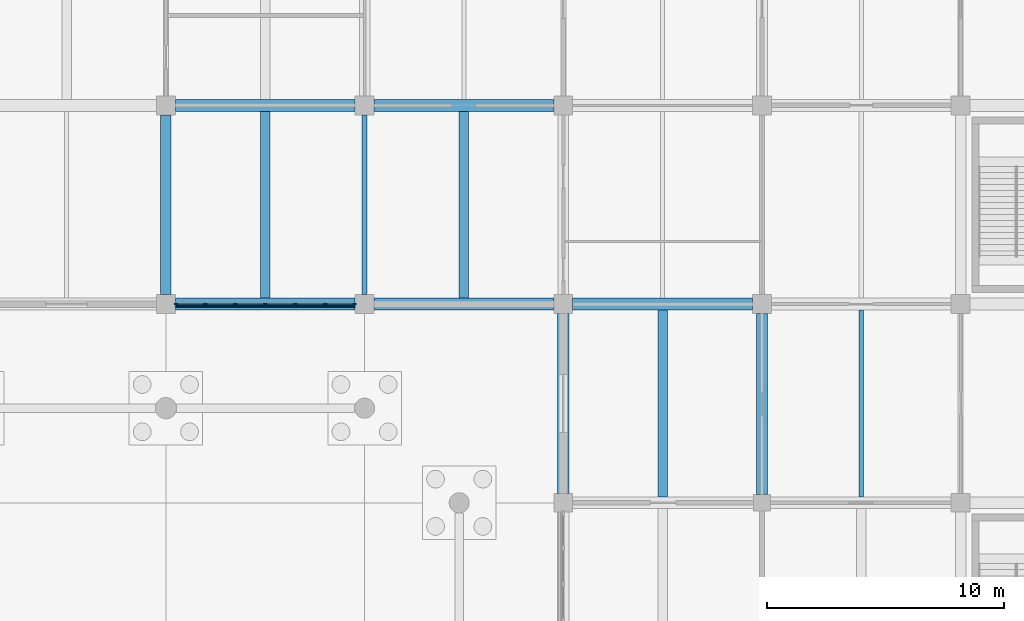
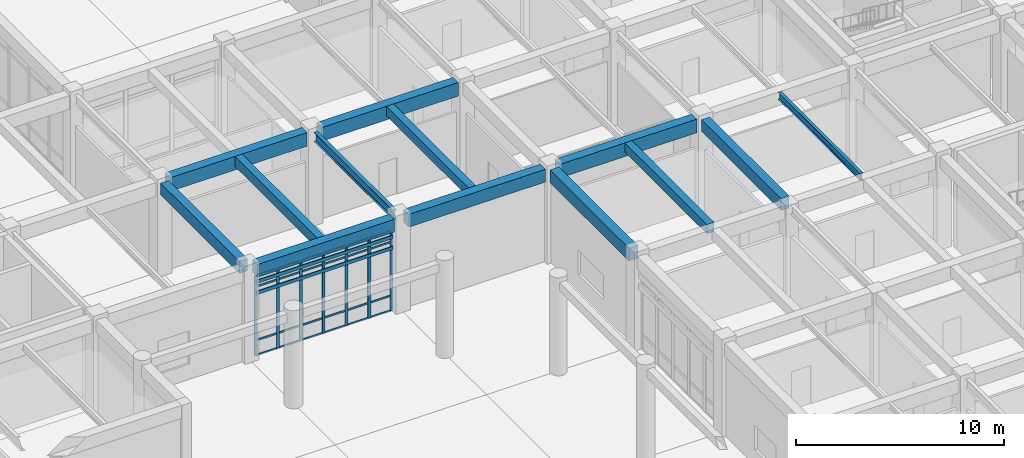
# One storey, part 36 of 91: 33 members, 13 beams, 1 element without a shape of its own.
"""IFC4 building model written with IfcOpenShell, lengths in metres."""

import ifcopenshell
import ifcopenshell.guid

model = None  # the IFC model being written
_history = None  # IfcOwnerHistory: only IFC2X3 demands one
_inside = {}  # id of a spatial element -> (the spatial element, [elements in it])
_under = {}  # id of a project, library or spatial element -> (it, [spatial elements below it])
_declared = {}  # id of a project -> (the project, [libraries it declares])
_typed = {}  # id of a type object -> (the type object, [elements of that type])
_made_of = {}  # id of a material, layer set ... -> (it, [elements and type objects made of it])


def new_model(schema):
    """Start an empty IFC model of exactly this schema.

    Asked for "IFC4X3", IfcOpenShell would pick the latest addendum, in which some entities
    have other attributes; the version numbers below select the first issue.
    IFC2X3 requires an IfcOwnerHistory on every rooted entity: one is made here for all.
    """
    global model, _history
    if schema == "IFC4X3":
        model = ifcopenshell.file(schema_version=(4, 3, 0, 0))
    else:
        model = ifcopenshell.file(schema=schema)
    _inside.clear()
    _under.clear()
    _declared.clear()
    _typed.clear()
    _made_of.clear()
    _history = None
    if model.schema == "IFC2X3":
        org = make("IfcOrganization", Name="unknown")
        user = make(
            "IfcPersonAndOrganization",
            ThePerson=make("IfcPerson", FamilyName="unknown"),
            TheOrganization=org,
        )
        app = make(
            "IfcApplication",
            ApplicationDeveloper=org,
            Version="unknown",
            ApplicationFullName="unknown",
            ApplicationIdentifier="unknown",
        )
        _history = make(
            "IfcOwnerHistory",
            OwningUser=user,
            OwningApplication=app,
            ChangeAction="ADDED",
            CreationDate=0,
        )
    return model


def make(cls, **values):
    """One entity of the class cls with the attributes given. An attribute that is None is left unset."""
    return model.create_entity(
        cls, **{name: value for name, value in values.items() if value is not None}
    )


def rooted(cls, **values):
    """An entity with a GlobalId (a new one), such as an element, a storey or a relation."""
    return make(cls, GlobalId=ifcopenshell.guid.new(), OwnerHistory=_history, **values)


def si_unit(unit_type, name, prefix=None):
    """IfcSIUnit, for example si_unit("LENGTHUNIT", "METRE", prefix="MILLI")."""
    return make("IfcSIUnit", UnitType=unit_type, Prefix=prefix, Name=name)


def assignment(units):
    """IfcUnitAssignment: the units of a project."""
    return None if units is None else make("IfcUnitAssignment", Units=units)


def point(xyz):
    """IfcCartesianPoint."""
    return None if xyz is None else make("IfcCartesianPoint", Coordinates=xyz)


def direction(xyz):
    """IfcDirection."""
    return None if xyz is None else make("IfcDirection", DirectionRatios=xyz)


def frame(location, z_axis=None, x_axis=None):
    """IfcAxis2Placement3D, a coordinate frame: its origin and axes. An axis left out is left unset."""
    return make(
        "IfcAxis2Placement3D",
        Location=point(location),
        Axis=direction(z_axis),
        RefDirection=direction(x_axis),
    )


def frame_2d(location, x_axis=None):
    """IfcAxis2Placement2D, a coordinate frame in the plane: its origin and x axis."""
    return make(
        "IfcAxis2Placement2D", Location=point(location), RefDirection=direction(x_axis)
    )


def origin():
    """The frame at (0, 0, 0) with its axes left unset."""
    return frame((0.0, 0.0, 0.0))


def origin_2d():
    """The frame at (0, 0) in the plane with its x axis left unset."""
    return frame_2d((0.0, 0.0))


def place(relative_to, where):
    """IfcLocalPlacement: puts the frame where relative to a parent placement (None: the world)."""
    return make(
        "IfcLocalPlacement", PlacementRelTo=relative_to, RelativePlacement=where
    )


def context(
    kind, dimensions, precision=None, world=None, true_north=None, identifier=None
):
    """IfcGeometricRepresentationContext, for example the 3D "Model" context."""
    return make(
        "IfcGeometricRepresentationContext",
        ContextIdentifier=identifier,
        ContextType=kind,
        CoordinateSpaceDimension=dimensions,
        Precision=precision,
        WorldCoordinateSystem=world,
        TrueNorth=true_north,
    )


def subcontext(parent, identifier, kind, view, scale=None):
    """IfcGeometricRepresentationSubContext, for example "Body" below "Model"."""
    return make(
        "IfcGeometricRepresentationSubContext",
        ContextIdentifier=identifier,
        ContextType=kind,
        ParentContext=parent,
        TargetScale=scale,
        TargetView=view,
    )


def project(units=None, contexts=None):
    """IfcProject with its units and contexts."""
    return rooted(
        "IfcProject",
        Name="project",
        RepresentationContexts=contexts,
        UnitsInContext=assignment(units),
    )


def spatial(cls, under=None, at=None, **own):
    """A site, building, storey or space (cls), placed at a placement, below another one or the project."""
    s = rooted(cls, ObjectPlacement=at, **own)
    if under is not None:
        _under.setdefault(under.id(), (under, []))[1].append(s)
    return s


def profile(cls, at=None, kind="AREA", **sizes):
    """A parametric profile (cls). Its sizes go by their IFC names, for example OverallWidth=200.0."""
    return make(cls, ProfileType=kind, Position=at, **sizes)


def rectangle(**sizes):
    """IfcRectangleProfileDef."""
    return profile("IfcRectangleProfileDef", **sizes)


def i_section(**sizes):
    """IfcIShapeProfileDef."""
    return profile("IfcIShapeProfileDef", **sizes)


def extrude(swept, where, along, depth):
    """IfcExtrudedAreaSolid: the profile swept, set in the frame where, extruded along a direction by depth."""
    return make(
        "IfcExtrudedAreaSolid",
        SweptArea=swept,
        Position=where,
        ExtrudedDirection=direction(along),
        Depth=depth,
    )


def shape(context_of_items, identifier, shape_type, items):
    """IfcShapeRepresentation: the items that make up one representation, for example the "Body"."""
    return make(
        "IfcShapeRepresentation",
        ContextOfItems=context_of_items,
        RepresentationIdentifier=identifier,
        RepresentationType=shape_type,
        Items=items,
    )


def material(Name=None, Category=None):
    """IfcMaterial."""
    return make("IfcMaterial", Name=Name, Category=Category)


def layer(
    of_material, thickness, ventilated=None, Name=None, Category=None, Priority=None
):
    """IfcMaterialLayer: one layer of a wall or slab, of a material (None: an air gap)."""
    return make(
        "IfcMaterialLayer",
        Material=of_material,
        LayerThickness=thickness,
        IsVentilated=ventilated,
        Name=Name,
        Category=Category,
        Priority=Priority,
    )


def layer_set(layers, Name=None):
    """IfcMaterialLayerSet."""
    return make("IfcMaterialLayerSet", MaterialLayers=layers, LayerSetName=Name)


def material_profile(
    of_material, cross_section, Name=None, Category=None, Priority=None
):
    """IfcMaterialProfile: a cross section and its material."""
    return make(
        "IfcMaterialProfile",
        Name=Name,
        Material=of_material,
        Profile=cross_section,
        Priority=Priority,
        Category=Category,
    )


def profile_set(profiles, Name=None, composite=None):
    """IfcMaterialProfileSet."""
    return make(
        "IfcMaterialProfileSet",
        Name=Name,
        MaterialProfiles=profiles,
        CompositeProfile=composite,
    )


def made_of(thing, what):
    """Note that an element or type object is made of a material, layer set ...; save() writes the relation."""
    if what is not None:
        _made_of.setdefault(what.id(), (what, []))[1].append(thing)
    return thing


def type_object(cls, material=None, **own):
    """A type object (cls), such as IfcWallType, which elements share."""
    return made_of(rooted(cls, **own), material)


def element(
    cls,
    number,
    at=None,
    inside=None,
    cuts=None,
    type_object=None,
    material=None,
    context=None,
    identifier="Body",
    shape_type=None,
    held_by="IfcProductDefinitionShape",
    body=None,
    shapes=None,
    **own,
):
    """One element of the class cls, such as IfcWall. Its Tag is "e" and its number.

    at: its placement. inside: the storey or other place that contains it. cuts: it is an
    opening in that element (IfcRelVoidsElement). A single representation is given by context,
    identifier, shape_type and body (its items); several are given by shapes. held_by: the class
    of the entity that holds the representations. save() writes the other relations.
    """
    e = rooted(cls, Tag="e%d" % number, ObjectPlacement=at, **own)
    if body is not None:
        shapes = [shape(context, identifier, shape_type, body)]
    if shapes is not None:
        e.Representation = make(held_by, Representations=shapes)
    if inside is not None:
        _inside.setdefault(inside.id(), (inside, []))[1].append(e)
    if cuts is not None:
        rooted(
            "IfcRelVoidsElement", RelatingBuildingElement=cuts, RelatedOpeningElement=e
        )
    if type_object is not None:
        _typed.setdefault(type_object.id(), (type_object, []))[1].append(e)
    return made_of(e, material)


def aggregate(whole, parts):
    """IfcRelAggregates: a whole, such as a stair, and the parts it consists of."""
    return rooted("IfcRelAggregates", RelatingObject=whole, RelatedObjects=parts)


def save(model, path):
    """Write the relations noted so far, then the file.

    IfcRelAggregates (storeys below a building ...), IfcRelContainedInSpatialStructure (elements
    in a storey), IfcRelDefinesByType, IfcRelAssociatesMaterial and IfcRelDeclares: one each for
    every whole, place, type object, material and project.
    """
    for whole, parts in _under.values():
        aggregate(whole, parts)
    for where, things in _inside.values():
        rooted(
            "IfcRelContainedInSpatialStructure",
            RelatedElements=things,
            RelatingStructure=where,
        )
    for kind, things in _typed.values():
        rooted("IfcRelDefinesByType", RelatedObjects=things, RelatingType=kind)
    for what, things in _made_of.values():
        rooted("IfcRelAssociatesMaterial", RelatedObjects=things, RelatingMaterial=what)
    for by, libraries in _declared.values():
        rooted("IfcRelDeclares", RelatingContext=by, RelatedDefinitions=libraries)
    model.write(path)


model = new_model("IFC4")

# Units and contexts
model_context = context("Model", 3, precision=1e-05, world=origin(), true_north=direction((0.0, 1.0)))
body_context = subcontext(model_context, "Body", "Model", "MODEL_VIEW")
ifc_project = project(units=[si_unit("LENGTHUNIT", "METRE"), si_unit("AREAUNIT", "SQUARE_METRE"), si_unit("VOLUMEUNIT", "CUBIC_METRE"), si_unit("PLANEANGLEUNIT", "RADIAN"), si_unit("MASSUNIT", "GRAM", prefix="KILO")], contexts=[model_context])

# Site, building, storey
site_placement = place(None, origin())
site = spatial("IfcSite", under=ifc_project, at=site_placement, CompositionType="ELEMENT")
building_placement = place(site_placement, origin())
building = spatial("IfcBuilding", under=site, at=building_placement, Name="Porcellanite Civic Hall", CompositionType="ELEMENT")
storey_placement = place(building_placement, origin())
storey = spatial("IfcBuildingStorey", under=building, at=storey_placement, Name="L00", CompositionType="ELEMENT", Elevation=0.0)

# Beams
ifc_material_1 = material(Name="Concrete N50 (50 MPa)", Category="concrete")
ifc_material_profile_1 = material_profile(ifc_material_1, rectangle(XDim=0.39990234375, YDim=0.550048828125, at=origin_2d()), Name="RC-400x550")
ifc_profile_set_1 = profile_set([ifc_material_profile_1], Name="Concrete N50 (50 MPa)")
beam_type_1 = type_object("IfcBeamType", Name="BM-RC550", PredefinedType="JOIST", material=ifc_profile_set_1)
beam_1_placement = place(storey_placement, frame((138.60009765625, 50.6494140625, 5.22509765625), z_axis=(0.0, 1.0, 0.0), x_axis=(-1.0, 0.0, 0.0)))
element("IfcBeam", 1, at=beam_1_placement, inside=storey, type_object=beam_type_1, Name="Secondary joist L00 17-7", PredefinedType="JOIST", context=body_context, shape_type="SweptSolid", body=[
    extrude(rectangle(XDim=0.39990234375, YDim=0.550048828125, at=origin_2d()), origin(), (0.0, 0.0, 1.0), 7.901123046875),
])
beam_2_placement = place(storey_placement, frame((147.0, 42.24951171875, 5.22509765625), z_axis=(0.0, 1.0, 0.0), x_axis=(-1.0, 0.0, 0.0)))
element("IfcBeam", 2, at=beam_2_placement, inside=storey, type_object=beam_type_1, Name="Secondary joist L00 18-6", PredefinedType="JOIST", context=body_context, shape_type="SweptSolid", body=[
    extrude(rectangle(XDim=0.39990234375, YDim=0.550048828125, at=origin_2d()), origin(), (0.0, 0.0, 1.0), 7.90087890625),
])
ifc_material_2 = material(Name="Concrete N50 (50 MPa)", Category="concrete")
ifc_material_profile_2 = material_profile(ifc_material_2, rectangle(XDim=0.39990234375, YDim=0.60009765625, at=origin_2d()), Name="RC-400x600")
ifc_profile_set_2 = profile_set([ifc_material_profile_2], Name="Concrete N50 (50 MPa)")
beam_type_2 = type_object("IfcBeamType", Name="BM-RC600", PredefinedType="JOIST", material=ifc_profile_set_2)
beam_3_placement = place(storey_placement, frame((130.199951171875, 50.6494140625, 5.199951171875), z_axis=(0.0, 1.0, 0.0), x_axis=(-1.0, 0.0, 0.0)))
element("IfcBeam", 3, at=beam_3_placement, inside=storey, type_object=beam_type_2, Name="Secondary joist L00 16-7", PredefinedType="JOIST", context=body_context, shape_type="SweptSolid", body=[
    extrude(rectangle(XDim=0.39990234375, YDim=0.60009765625, at=origin_2d()), origin(), (0.0, 0.0, 1.0), 7.901123046875),
])
ifc_material_3 = material(Name="Concrete N50 (50 MPa)", Category="concrete")
ifc_material_profile_3 = material_profile(ifc_material_3, rectangle(XDim=0.449951171875, YDim=0.699951171875, at=origin_2d()), Name="RC-450x700")
ifc_profile_set_3 = profile_set([ifc_material_profile_3], Name="Concrete N50 (50 MPa)")
beam_type_3 = type_object("IfcBeamType", Name="BM-RC700", PredefinedType="BEAM", material=ifc_profile_set_3)
beam_4_placement = place(storey_placement, frame((126.0, 50.799560546875, 5.14990234375), z_axis=(0.0, 1.0, 0.0), x_axis=(-1.0, 0.0, 0.0)))
element("IfcBeam", 4, at=beam_4_placement, inside=storey, type_object=beam_type_3, Name="Beam Y L00 16-7", PredefinedType="BEAM", context=body_context, shape_type="SweptSolid", body=[
    extrude(rectangle(XDim=0.449951171875, YDim=0.699951171875, at=origin_2d()), origin(), (0.0, 0.0, 1.0), 7.600830078125),
])
beam_5_placement = place(storey_placement, frame((151.199951171875, 42.349609375, 5.14990234375), z_axis=(0.0, 1.0, 0.0), x_axis=(-1.0, 0.0, 0.0)))
element("IfcBeam", 5, at=beam_5_placement, inside=storey, type_object=beam_type_3, Name="Beam Y L00 19-6", PredefinedType="BEAM", context=body_context, shape_type="SweptSolid", body=[
    extrude(rectangle(XDim=0.449951171875, YDim=0.699951171875, at=origin_2d()), origin(), (0.0, 0.0, 1.0), 7.65087890625),
])
ifc_material_4 = material(Name="Concrete N50 (50 MPa)", Category="concrete")
ifc_material_profile_4 = material_profile(ifc_material_4, rectangle(XDim=0.5, YDim=0.75, at=origin_2d()), Name="RC-500x750")
ifc_profile_set_4 = profile_set([ifc_material_profile_4], Name="Concrete N50 (50 MPa)")
beam_type_4 = type_object("IfcBeamType", Name="BM-RC750", PredefinedType="SPANDREL", material=ifc_profile_set_4)
beam_6_placement = place(storey_placement, frame((126.3994140625, 50.39990234375, 5.125), z_axis=(1.0, 0.0, 0.0), x_axis=(0.0, 1.0, 0.0)))
element("IfcBeam", 6, at=beam_6_placement, inside=storey, type_object=beam_type_4, Name="Beam X L00 16-7", PredefinedType="SPANDREL", context=body_context, shape_type="SweptSolid", body=[
    extrude(rectangle(XDim=0.5, YDim=0.75, at=origin_2d()), origin(), (0.0, 0.0, 1.0), 7.60107421875),
])
beam_7_placement = place(storey_placement, frame((134.799560546875, 50.39990234375, 5.125), z_axis=(1.0, 0.0, 0.0), x_axis=(0.0, 1.0, 0.0)))
element("IfcBeam", 7, at=beam_7_placement, inside=storey, type_object=beam_type_4, Name="Beam X L00 17-7", PredefinedType="SPANDREL", context=body_context, shape_type="SweptSolid", body=[
    extrude(rectangle(XDim=0.5, YDim=0.75, at=origin_2d()), origin(), (0.0, 0.0, 1.0), 7.600830078125),
])
beam_8_placement = place(storey_placement, frame((142.800048828125, 42.3994140625, 5.125), z_axis=(0.0, 1.0, 0.0), x_axis=(-1.0, 0.0, 0.0)))
element("IfcBeam", 8, at=beam_8_placement, inside=storey, type_object=beam_type_4, Name="Beam Y L00 18-6", PredefinedType="SPANDREL", context=body_context, shape_type="SweptSolid", body=[
    extrude(rectangle(XDim=0.5, YDim=0.75, at=origin_2d()), origin(), (0.0, 0.0, 1.0), 7.60107421875),
])
ifc_material_5 = material(Name="Concrete N50 (50 MPa)", Category="concrete")
ifc_material_profile_5 = material_profile(ifc_material_5, rectangle(XDim=0.5, YDim=0.800048828125, at=origin_2d()), Name="RC-500x800")
ifc_profile_set_5 = profile_set([ifc_material_profile_5], Name="Concrete N50 (50 MPa)")
beam_type_5 = type_object("IfcBeamType", Name="BM-RC800", PredefinedType="BEAM", material=ifc_profile_set_5)
beam_9_placement = place(storey_placement, frame((126.3994140625, 58.800048828125, 5.10009765625), z_axis=(1.0, 0.0, 0.0), x_axis=(0.0, 1.0, 0.0)))
element("IfcBeam", 9, at=beam_9_placement, inside=storey, type_object=beam_type_5, Name="Beam X L00 16-8", PredefinedType="BEAM", context=body_context, shape_type="SweptSolid", body=[
    extrude(rectangle(XDim=0.5, YDim=0.800048828125, at=origin_2d()), origin(), (0.0, 0.0, 1.0), 7.60107421875),
])
beam_10_placement = place(storey_placement, frame((134.799560546875, 58.800048828125, 5.10009765625), z_axis=(1.0, 0.0, 0.0), x_axis=(0.0, 1.0, 0.0)))
element("IfcBeam", 10, at=beam_10_placement, inside=storey, type_object=beam_type_5, Name="Beam X L00 17-8", PredefinedType="BEAM", context=body_context, shape_type="SweptSolid", body=[
    extrude(rectangle(XDim=0.5, YDim=0.800048828125, at=origin_2d()), origin(), (0.0, 0.0, 1.0), 7.600830078125),
])
beam_11_placement = place(storey_placement, frame((143.199462890625, 50.39990234375, 5.10009765625), z_axis=(1.0, 0.0, 0.0), x_axis=(0.0, 1.0, 0.0)))
element("IfcBeam", 11, at=beam_11_placement, inside=storey, type_object=beam_type_5, Name="Beam X L00 18-7", PredefinedType="BEAM", context=body_context, shape_type="SweptSolid", body=[
    extrude(rectangle(XDim=0.5, YDim=0.800048828125, at=origin_2d()), origin(), (0.0, 0.0, 1.0), 7.60107421875),
])

# Curtain wall, members
ifc_material_6 = material(Name="Anodised aluminium and solar laminated glass", Category="aluminium")
ifc_layer = layer(ifc_material_6, 0.179931640625)
ifc_layer_set = layer_set([ifc_layer], Name="Anodised aluminium and solar laminated glass")
curtain_wall_type = type_object("IfcCurtainWallType", Name="CW-SYS07", PredefinedType="NOTDEFINED", material=ifc_layer_set)
curtain_wall_placement = place(storey_placement, origin())
curtain_wall = element("IfcCurtainWall", 12, at=curtain_wall_placement, inside=storey, type_object=curtain_wall_type, Name="Curtain wall CW-045", PredefinedType="NOTDEFINED")
ifc_material_7 = material(Name="Anodised aluminium 6063-T6", Category="aluminium")
ifc_material_profile_6 = material_profile(ifc_material_7, rectangle(XDim=0.06005859375, YDim=0.159912109375, at=origin_2d()), Name="AL-60x160")
ifc_profile_set_6 = profile_set([ifc_material_profile_6], Name="Anodised aluminium 6063-T6")
member_type_1 = type_object("IfcMemberType", Name="CWM-07", PredefinedType="MULLION", material=ifc_profile_set_6)
member_1_placement = place(storey_placement, frame((133.968994140625, 50.39990234375, 0.0), z_axis=(0.0, 0.0, 1.0), x_axis=(0.0, -1.0, 0.0)))
member_1 = element("IfcMember", 13, at=member_1_placement, type_object=member_type_1, Name="CW-045 mullion 1", PredefinedType="MULLION", context=body_context, shape_type="SweptSolid", body=[
    extrude(rectangle(XDim=0.06005859375, YDim=0.159912109375, at=origin_2d()), origin(), (0.0, 0.0, 1.0), 4.699951171875),
])
member_2_placement = place(storey_placement, frame((132.732666015625, 50.39990234375, 0.0), z_axis=(0.0, 0.0, 1.0), x_axis=(0.0, -1.0, 0.0)))
member_2 = element("IfcMember", 14, at=member_2_placement, type_object=member_type_1, Name="CW-045 mullion 2", PredefinedType="MULLION", context=body_context, shape_type="SweptSolid", body=[
    extrude(rectangle(XDim=0.06005859375, YDim=0.159912109375, at=origin_2d()), origin(), (0.0, 0.0, 1.0), 4.699951171875),
])
member_3_placement = place(storey_placement, frame((131.46630859375, 50.39990234375, 0.0), z_axis=(0.0, 0.0, 1.0), x_axis=(0.0, -1.0, 0.0)))
member_3 = element("IfcMember", 15, at=member_3_placement, type_object=member_type_1, Name="CW-045 mullion 3", PredefinedType="MULLION", context=body_context, shape_type="SweptSolid", body=[
    extrude(rectangle(XDim=0.06005859375, YDim=0.159912109375, at=origin_2d()), origin(), (0.0, 0.0, 1.0), 4.699951171875),
])
member_4_placement = place(storey_placement, frame((130.199951171875, 50.39990234375, 0.0), z_axis=(0.0, 0.0, 1.0), x_axis=(0.0, -1.0, 0.0)))
member_4 = element("IfcMember", 16, at=member_4_placement, type_object=member_type_1, Name="CW-045 mullion 4", PredefinedType="MULLION", context=body_context, shape_type="SweptSolid", body=[
    extrude(rectangle(XDim=0.06005859375, YDim=0.159912109375, at=origin_2d()), origin(), (0.0, 0.0, 1.0), 4.699951171875),
])
member_5_placement = place(storey_placement, frame((128.93359375, 50.39990234375, 0.0), z_axis=(0.0, 0.0, 1.0), x_axis=(0.0, -1.0, 0.0)))
member_5 = element("IfcMember", 17, at=member_5_placement, type_object=member_type_1, Name="CW-045 mullion 5", PredefinedType="MULLION", context=body_context, shape_type="SweptSolid", body=[
    extrude(rectangle(XDim=0.06005859375, YDim=0.159912109375, at=origin_2d()), origin(), (0.0, 0.0, 1.0), 4.699951171875),
])
member_6_placement = place(storey_placement, frame((127.667236328125, 50.39990234375, 0.0), z_axis=(0.0, 0.0, 1.0), x_axis=(0.0, -1.0, 0.0)))
member_6 = element("IfcMember", 18, at=member_6_placement, type_object=member_type_1, Name="CW-045 mullion 6", PredefinedType="MULLION", context=body_context, shape_type="SweptSolid", body=[
    extrude(rectangle(XDim=0.06005859375, YDim=0.159912109375, at=origin_2d()), origin(), (0.0, 0.0, 1.0), 4.699951171875),
])
member_7_placement = place(storey_placement, frame((126.430908203125, 50.39990234375, 0.0), z_axis=(0.0, 0.0, 1.0), x_axis=(0.0, -1.0, 0.0)))
member_7 = element("IfcMember", 19, at=member_7_placement, type_object=member_type_1, Name="CW-045 mullion 7", PredefinedType="MULLION", context=body_context, shape_type="SweptSolid", body=[
    extrude(rectangle(XDim=0.06005859375, YDim=0.159912109375, at=origin_2d()), origin(), (0.0, 0.0, 1.0), 4.699951171875),
])
ifc_material_8 = material(Name="Anodised aluminium 6063-T6", Category="aluminium")
ifc_material_profile_7 = material_profile(ifc_material_8, rectangle(XDim=0.050048828125, YDim=0.110107421875, at=origin_2d()), Name="AL-50x110")
ifc_profile_set_7 = profile_set([ifc_material_profile_7], Name="Anodised aluminium 6063-T6")
member_type_2 = type_object("IfcMemberType", Name="CWT-07", PredefinedType="USERDEFINED", material=ifc_profile_set_7)
member_8_placement = place(storey_placement, frame((133.93896484375, 50.39990234375, 0.02490234375), z_axis=(-1.0, 0.0, 0.0), x_axis=(0.0, -1.0, 0.0)))
member_8 = element("IfcMember", 20, at=member_8_placement, type_object=member_type_2, Name="CW-045 transom 1.1", ObjectType="TRANSOM", PredefinedType="USERDEFINED", context=body_context, shape_type="SweptSolid", body=[
    extrude(rectangle(XDim=0.050048828125, YDim=0.110107421875, at=origin_2d()), origin(), (0.0, 0.0, 1.0), 1.17626953125),
])
member_9_placement = place(storey_placement, frame((133.93896484375, 50.39990234375, 0.89990234375), z_axis=(-1.0, 0.0, 0.0), x_axis=(0.0, -1.0, 0.0)))
member_9 = element("IfcMember", 21, at=member_9_placement, type_object=member_type_2, Name="CW-045 transom 1.2", ObjectType="TRANSOM", PredefinedType="USERDEFINED", context=body_context, shape_type="SweptSolid", body=[
    extrude(rectangle(XDim=0.050048828125, YDim=0.110107421875, at=origin_2d()), origin(), (0.0, 0.0, 1.0), 1.17626953125),
])
member_10_placement = place(storey_placement, frame((133.93896484375, 50.39990234375, 4.050048828125), z_axis=(-1.0, 0.0, 0.0), x_axis=(0.0, -1.0, 0.0)))
member_10 = element("IfcMember", 22, at=member_10_placement, type_object=member_type_2, Name="CW-045 transom 1.3", ObjectType="TRANSOM", PredefinedType="USERDEFINED", context=body_context, shape_type="SweptSolid", body=[
    extrude(rectangle(XDim=0.050048828125, YDim=0.110107421875, at=origin_2d()), origin(), (0.0, 0.0, 1.0), 1.17626953125),
])
member_11_placement = place(storey_placement, frame((133.93896484375, 50.39990234375, 4.675048828125), z_axis=(-1.0, 0.0, 0.0), x_axis=(0.0, -1.0, 0.0)))
member_11 = element("IfcMember", 23, at=member_11_placement, type_object=member_type_2, Name="CW-045 transom 1.4", ObjectType="TRANSOM", PredefinedType="USERDEFINED", context=body_context, shape_type="SweptSolid", body=[
    extrude(rectangle(XDim=0.050048828125, YDim=0.110107421875, at=origin_2d()), origin(), (0.0, 0.0, 1.0), 1.17626953125),
])
member_12_placement = place(storey_placement, frame((132.70263671875, 50.39990234375, 0.02490234375), z_axis=(-1.0, 0.0, 0.0), x_axis=(0.0, -1.0, 0.0)))
member_12 = element("IfcMember", 24, at=member_12_placement, type_object=member_type_2, Name="CW-045 transom 2.1", ObjectType="TRANSOM", PredefinedType="USERDEFINED", context=body_context, shape_type="SweptSolid", body=[
    extrude(rectangle(XDim=0.050048828125, YDim=0.110107421875, at=origin_2d()), origin(), (0.0, 0.0, 1.0), 1.206298828125),
])
member_13_placement = place(storey_placement, frame((132.70263671875, 50.39990234375, 0.89990234375), z_axis=(-1.0, 0.0, 0.0), x_axis=(0.0, -1.0, 0.0)))
member_13 = element("IfcMember", 25, at=member_13_placement, type_object=member_type_2, Name="CW-045 transom 2.2", ObjectType="TRANSOM", PredefinedType="USERDEFINED", context=body_context, shape_type="SweptSolid", body=[
    extrude(rectangle(XDim=0.050048828125, YDim=0.110107421875, at=origin_2d()), origin(), (0.0, 0.0, 1.0), 1.206298828125),
])
member_14_placement = place(storey_placement, frame((132.70263671875, 50.39990234375, 4.050048828125), z_axis=(-1.0, 0.0, 0.0), x_axis=(0.0, -1.0, 0.0)))
member_14 = element("IfcMember", 26, at=member_14_placement, type_object=member_type_2, Name="CW-045 transom 2.3", ObjectType="TRANSOM", PredefinedType="USERDEFINED", context=body_context, shape_type="SweptSolid", body=[
    extrude(rectangle(XDim=0.050048828125, YDim=0.110107421875, at=origin_2d()), origin(), (0.0, 0.0, 1.0), 1.206298828125),
])
member_15_placement = place(storey_placement, frame((132.70263671875, 50.39990234375, 4.675048828125), z_axis=(-1.0, 0.0, 0.0), x_axis=(0.0, -1.0, 0.0)))
member_15 = element("IfcMember", 27, at=member_15_placement, type_object=member_type_2, Name="CW-045 transom 2.4", ObjectType="TRANSOM", PredefinedType="USERDEFINED", context=body_context, shape_type="SweptSolid", body=[
    extrude(rectangle(XDim=0.050048828125, YDim=0.110107421875, at=origin_2d()), origin(), (0.0, 0.0, 1.0), 1.206298828125),
])
member_16_placement = place(storey_placement, frame((131.436279296875, 50.39990234375, 0.02490234375), z_axis=(-1.0, 0.0, 0.0), x_axis=(0.0, -1.0, 0.0)))
member_16 = element("IfcMember", 28, at=member_16_placement, type_object=member_type_2, Name="CW-045 transom 3.1", ObjectType="TRANSOM", PredefinedType="USERDEFINED", context=body_context, shape_type="SweptSolid", body=[
    extrude(rectangle(XDim=0.050048828125, YDim=0.110107421875, at=origin_2d()), origin(), (0.0, 0.0, 1.0), 1.206298828125),
])
member_17_placement = place(storey_placement, frame((131.436279296875, 50.39990234375, 0.89990234375), z_axis=(-1.0, 0.0, 0.0), x_axis=(0.0, -1.0, 0.0)))
member_17 = element("IfcMember", 29, at=member_17_placement, type_object=member_type_2, Name="CW-045 transom 3.2", ObjectType="TRANSOM", PredefinedType="USERDEFINED", context=body_context, shape_type="SweptSolid", body=[
    extrude(rectangle(XDim=0.050048828125, YDim=0.110107421875, at=origin_2d()), origin(), (0.0, 0.0, 1.0), 1.206298828125),
])
member_18_placement = place(storey_placement, frame((131.436279296875, 50.39990234375, 4.050048828125), z_axis=(-1.0, 0.0, 0.0), x_axis=(0.0, -1.0, 0.0)))
member_18 = element("IfcMember", 30, at=member_18_placement, type_object=member_type_2, Name="CW-045 transom 3.3", ObjectType="TRANSOM", PredefinedType="USERDEFINED", context=body_context, shape_type="SweptSolid", body=[
    extrude(rectangle(XDim=0.050048828125, YDim=0.110107421875, at=origin_2d()), origin(), (0.0, 0.0, 1.0), 1.206298828125),
])
member_19_placement = place(storey_placement, frame((131.436279296875, 50.39990234375, 4.675048828125), z_axis=(-1.0, 0.0, 0.0), x_axis=(0.0, -1.0, 0.0)))
member_19 = element("IfcMember", 31, at=member_19_placement, type_object=member_type_2, Name="CW-045 transom 3.4", ObjectType="TRANSOM", PredefinedType="USERDEFINED", context=body_context, shape_type="SweptSolid", body=[
    extrude(rectangle(XDim=0.050048828125, YDim=0.110107421875, at=origin_2d()), origin(), (0.0, 0.0, 1.0), 1.206298828125),
])
member_20_placement = place(storey_placement, frame((130.169921875, 50.39990234375, 0.02490234375), z_axis=(-1.0, 0.0, 0.0), x_axis=(0.0, -1.0, 0.0)))
member_20 = element("IfcMember", 32, at=member_20_placement, type_object=member_type_2, Name="CW-045 transom 4.1", ObjectType="TRANSOM", PredefinedType="USERDEFINED", context=body_context, shape_type="SweptSolid", body=[
    extrude(rectangle(XDim=0.050048828125, YDim=0.110107421875, at=origin_2d()), origin(), (0.0, 0.0, 1.0), 1.206298828125),
])
member_21_placement = place(storey_placement, frame((130.169921875, 50.39990234375, 0.89990234375), z_axis=(-1.0, 0.0, 0.0), x_axis=(0.0, -1.0, 0.0)))
member_21 = element("IfcMember", 33, at=member_21_placement, type_object=member_type_2, Name="CW-045 transom 4.2", ObjectType="TRANSOM", PredefinedType="USERDEFINED", context=body_context, shape_type="SweptSolid", body=[
    extrude(rectangle(XDim=0.050048828125, YDim=0.110107421875, at=origin_2d()), origin(), (0.0, 0.0, 1.0), 1.206298828125),
])
member_22_placement = place(storey_placement, frame((130.169921875, 50.39990234375, 4.050048828125), z_axis=(-1.0, 0.0, 0.0), x_axis=(0.0, -1.0, 0.0)))
member_22 = element("IfcMember", 34, at=member_22_placement, type_object=member_type_2, Name="CW-045 transom 4.3", ObjectType="TRANSOM", PredefinedType="USERDEFINED", context=body_context, shape_type="SweptSolid", body=[
    extrude(rectangle(XDim=0.050048828125, YDim=0.110107421875, at=origin_2d()), origin(), (0.0, 0.0, 1.0), 1.206298828125),
])
member_23_placement = place(storey_placement, frame((130.169921875, 50.39990234375, 4.675048828125), z_axis=(-1.0, 0.0, 0.0), x_axis=(0.0, -1.0, 0.0)))
member_23 = element("IfcMember", 35, at=member_23_placement, type_object=member_type_2, Name="CW-045 transom 4.4", ObjectType="TRANSOM", PredefinedType="USERDEFINED", context=body_context, shape_type="SweptSolid", body=[
    extrude(rectangle(XDim=0.050048828125, YDim=0.110107421875, at=origin_2d()), origin(), (0.0, 0.0, 1.0), 1.206298828125),
])
member_24_placement = place(storey_placement, frame((128.903564453125, 50.39990234375, 0.02490234375), z_axis=(-1.0, 0.0, 0.0), x_axis=(0.0, -1.0, 0.0)))
member_24 = element("IfcMember", 36, at=member_24_placement, type_object=member_type_2, Name="CW-045 transom 5.1", ObjectType="TRANSOM", PredefinedType="USERDEFINED", context=body_context, shape_type="SweptSolid", body=[
    extrude(rectangle(XDim=0.050048828125, YDim=0.110107421875, at=origin_2d()), origin(), (0.0, 0.0, 1.0), 1.206298828125),
])
member_25_placement = place(storey_placement, frame((128.903564453125, 50.39990234375, 0.89990234375), z_axis=(-1.0, 0.0, 0.0), x_axis=(0.0, -1.0, 0.0)))
member_25 = element("IfcMember", 37, at=member_25_placement, type_object=member_type_2, Name="CW-045 transom 5.2", ObjectType="TRANSOM", PredefinedType="USERDEFINED", context=body_context, shape_type="SweptSolid", body=[
    extrude(rectangle(XDim=0.050048828125, YDim=0.110107421875, at=origin_2d()), origin(), (0.0, 0.0, 1.0), 1.206298828125),
])
member_26_placement = place(storey_placement, frame((128.903564453125, 50.39990234375, 4.050048828125), z_axis=(-1.0, 0.0, 0.0), x_axis=(0.0, -1.0, 0.0)))
member_26 = element("IfcMember", 38, at=member_26_placement, type_object=member_type_2, Name="CW-045 transom 5.3", ObjectType="TRANSOM", PredefinedType="USERDEFINED", context=body_context, shape_type="SweptSolid", body=[
    extrude(rectangle(XDim=0.050048828125, YDim=0.110107421875, at=origin_2d()), origin(), (0.0, 0.0, 1.0), 1.206298828125),
])
member_27_placement = place(storey_placement, frame((128.903564453125, 50.39990234375, 4.675048828125), z_axis=(-1.0, 0.0, 0.0), x_axis=(0.0, -1.0, 0.0)))
member_27 = element("IfcMember", 39, at=member_27_placement, type_object=member_type_2, Name="CW-045 transom 5.4", ObjectType="TRANSOM", PredefinedType="USERDEFINED", context=body_context, shape_type="SweptSolid", body=[
    extrude(rectangle(XDim=0.050048828125, YDim=0.110107421875, at=origin_2d()), origin(), (0.0, 0.0, 1.0), 1.206298828125),
])
member_28_placement = place(storey_placement, frame((127.637451171875, 50.39990234375, 0.02490234375), z_axis=(-1.0, 0.0, 0.0), x_axis=(0.0, -1.0, 0.0)))
member_28 = element("IfcMember", 40, at=member_28_placement, type_object=member_type_2, Name="CW-045 transom 6.1", ObjectType="TRANSOM", PredefinedType="USERDEFINED", context=body_context, shape_type="SweptSolid", body=[
    extrude(rectangle(XDim=0.050048828125, YDim=0.110107421875, at=origin_2d()), origin(), (0.0, 0.0, 1.0), 1.176513671875),
])
member_29_placement = place(storey_placement, frame((127.637451171875, 50.39990234375, 0.89990234375), z_axis=(-1.0, 0.0, 0.0), x_axis=(0.0, -1.0, 0.0)))
member_29 = element("IfcMember", 41, at=member_29_placement, type_object=member_type_2, Name="CW-045 transom 6.2", ObjectType="TRANSOM", PredefinedType="USERDEFINED", context=body_context, shape_type="SweptSolid", body=[
    extrude(rectangle(XDim=0.050048828125, YDim=0.110107421875, at=origin_2d()), origin(), (0.0, 0.0, 1.0), 1.176513671875),
])
member_30_placement = place(storey_placement, frame((127.637451171875, 50.39990234375, 4.050048828125), z_axis=(-1.0, 0.0, 0.0), x_axis=(0.0, -1.0, 0.0)))
member_30 = element("IfcMember", 42, at=member_30_placement, type_object=member_type_2, Name="CW-045 transom 6.3", ObjectType="TRANSOM", PredefinedType="USERDEFINED", context=body_context, shape_type="SweptSolid", body=[
    extrude(rectangle(XDim=0.050048828125, YDim=0.110107421875, at=origin_2d()), origin(), (0.0, 0.0, 1.0), 1.176513671875),
])
member_31_placement = place(storey_placement, frame((127.637451171875, 50.39990234375, 4.675048828125), z_axis=(-1.0, 0.0, 0.0), x_axis=(0.0, -1.0, 0.0)))
member_31 = element("IfcMember", 43, at=member_31_placement, type_object=member_type_2, Name="CW-045 transom 6.4", ObjectType="TRANSOM", PredefinedType="USERDEFINED", context=body_context, shape_type="SweptSolid", body=[
    extrude(rectangle(XDim=0.050048828125, YDim=0.110107421875, at=origin_2d()), origin(), (0.0, 0.0, 1.0), 1.176513671875),
])
aggregate(curtain_wall, [member_1, member_2, member_3, member_4, member_5, member_6, member_7, member_8, member_9, member_10, member_11, member_12, member_13, member_14, member_15, member_16, member_17, member_18, member_19, member_20, member_21, member_22, member_23, member_24, member_25, member_26, member_27, member_28, member_29, member_30, member_31])

# Beam
ifc_material_9 = material(Name="Steel Grade 350", Category="steel")
ifc_material_profile_8 = material_profile(ifc_material_9, i_section(OverallWidth=0.177978515625, OverallDepth=0.406005859375, WebThickness=0.0078125, FlangeThickness=0.0126953125, FilletRadius=0.011474609375, at=origin_2d()), Name="410UB59.7")
ifc_profile_set_8 = profile_set([ifc_material_profile_8], Name="Steel Grade 350")
beam_type_6 = type_object("IfcBeamType", Name="JST-410UB60", PredefinedType="JOIST", material=ifc_profile_set_8)
beam_12_placement = place(storey_placement, frame((155.39990234375, 42.24951171875, 5.297119140625), z_axis=(0.0, 1.0, 0.0), x_axis=(-1.0, 0.0, 0.0)))
element("IfcBeam", 44, at=beam_12_placement, inside=storey, type_object=beam_type_6, Name="Secondary joist L00 19-6", PredefinedType="JOIST", context=body_context, shape_type="SweptSolid", body=[
    extrude(i_section(OverallWidth=0.177978515625, OverallDepth=0.406005859375, WebThickness=0.0078125, FlangeThickness=0.0126953125, FilletRadius=0.011474609375, at=origin_2d()), origin(), (0.0, 0.0, 1.0), 7.90087890625),
])

# Members
ifc_material_10 = material(Name="Fluoropolymer bauxite-red aluminium 6063-T6", Category="aluminium")
ifc_material_profile_9 = material_profile(ifc_material_10, rectangle(XDim=0.050048828125, YDim=0.199951171875, at=origin_2d()), Name="AL-50x200")
ifc_profile_set_9 = profile_set([ifc_material_profile_9], Name="Fluoropolymer bauxite-red aluminium 6063-T6")
member_type_3 = type_object("IfcMemberType", Name="LV-BLD10", PredefinedType="USERDEFINED", material=ifc_profile_set_9)
for number, where, z_axis, x_axis, name in (
    (45, (134.00048828125, 50.29296875, 4.39990234375), (-1.0, 0.0, 0.0), (0.0, -1.0, 0.0), "Cyclone sunshade louvre L00 S 15-6 1"),
    (46, (134.00048828125, 50.29296875, 3.75), (-1.0, 0.0, 0.0), (0.0, -1.0, 0.0), "Cyclone sunshade louvre L00 S 15-6 2"),
):
    element("IfcMember", number, at=place(storey_placement, frame(where, z_axis=z_axis, x_axis=x_axis)), inside=storey, type_object=member_type_3, Name=name, ObjectType="LOUVRE BLADE", PredefinedType="USERDEFINED", context=body_context, shape_type="SweptSolid", body=[
        extrude(rectangle(XDim=0.050048828125, YDim=0.199951171875, at=origin_2d()), origin(), (0.0, 0.0, 1.0), 7.60107421875),
    ])

# Beam
ifc_material_11 = material(Name="Steel Grade 350", Category="steel")
ifc_material_profile_10 = material_profile(ifc_material_11, i_section(OverallWidth=0.208984375, OverallDepth=0.528076171875, WebThickness=0.009521484375, FlangeThickness=0.01318359375, FilletRadius=0.013916015625, at=origin_2d()), Name="530UB82.0")
ifc_profile_set_10 = profile_set([ifc_material_profile_10], Name="Steel Grade 350")
beam_type_7 = type_object("IfcBeamType", Name="RAF-530UB82", PredefinedType="BEAM", material=ifc_profile_set_10)
beam_13_placement = place(storey_placement, frame((134.39990234375, 50.799560546875, 5.236083984375), z_axis=(0.0, 1.0, 0.0), x_axis=(-1.0, 0.0, 0.0)))
element("IfcBeam", 47, at=beam_13_placement, inside=storey, type_object=beam_type_7, Name="Beam Y L00 17-7", PredefinedType="BEAM", context=body_context, shape_type="SweptSolid", body=[
    extrude(i_section(OverallWidth=0.208984375, OverallDepth=0.528076171875, WebThickness=0.009521484375, FlangeThickness=0.01318359375, FilletRadius=0.013916015625, at=origin_2d()), origin(), (0.0, 0.0, 1.0), 7.600830078125),
])

save(model, "model.ifc")
